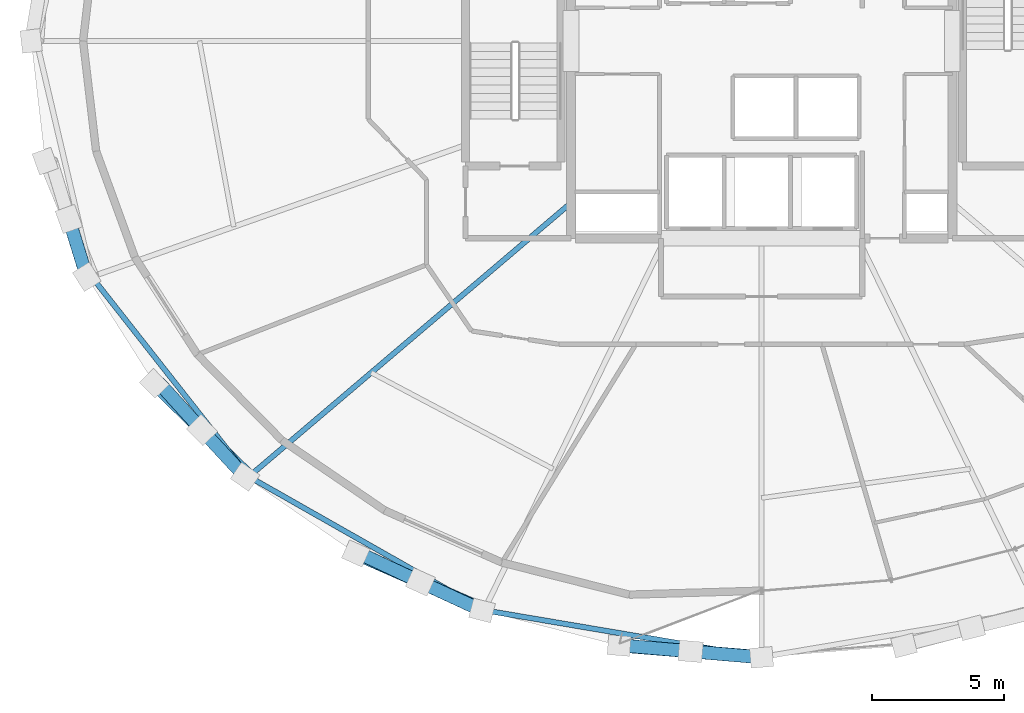
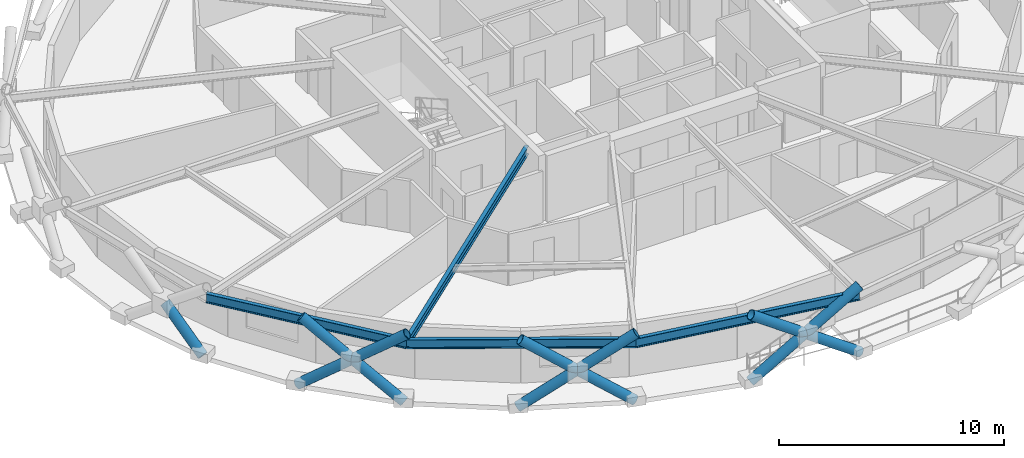
# One storey, part 1 of 15: 10 members, 4 beams.
"""IFC4 building model written with IfcOpenShell, lengths in metres."""

from ifc_helpers import new_model, si_unit, direction, frame, origin, origin_2d, place, context, subcontext, project, spatial, hollow_circle, i_section, extrude, material, material_profile, profile_set, type_object, element, save


model = new_model("IFC4")

# Units and contexts
model_context = context("Model", 3, precision=1e-05, world=origin(), true_north=direction((0.0, 1.0)))
body_context = subcontext(model_context, "Body", "Model", "MODEL_VIEW")
ifc_project = project(units=[si_unit("LENGTHUNIT", "METRE"), si_unit("AREAUNIT", "SQUARE_METRE"), si_unit("VOLUMEUNIT", "CUBIC_METRE"), si_unit("PLANEANGLEUNIT", "RADIAN"), si_unit("MASSUNIT", "GRAM", prefix="KILO")], contexts=[model_context])

# Site, building, storey
site_placement = place(None, origin())
site = spatial("IfcSite", under=ifc_project, at=site_placement, CompositionType="ELEMENT")
building_placement = place(site_placement, origin())
building = spatial("IfcBuilding", under=site, at=building_placement, Name="Veldorina Hangang Commons", CompositionType="ELEMENT")
storey_placement = place(building_placement, frame((0.0, 0.0, 182.0)))
storey = spatial("IfcBuildingStorey", under=building, at=storey_placement, Name="L47", CompositionType="ELEMENT", Elevation=182.0)

# Beams
ifc_material_1 = material(Name="Steel SM355-TMC", Category="steel")
ifc_material_profile_1 = material_profile(ifc_material_1, i_section(OverallWidth=0.199951171875, OverallDepth=0.449951171875, WebThickness=0.009033203125, FlangeThickness=0.013916015625, FilletRadius=0.01611328125, at=origin_2d()), Name="H-450x200x9x14")
ifc_profile_set_1 = profile_set([ifc_material_profile_1], Name="Steel SM355-TMC")
beam_type_1 = type_object("IfcBeamType", Name="BM-FG450", PredefinedType="BEAM", material=ifc_profile_set_1)
beam_1_placement = place(storey_placement, frame((24.800048828125, 17.881103515625, 3.125), z_axis=(-0.762001987409, -0.647574683866, 0.0), x_axis=(0.647574683866, -0.762001987409, 0.0)))
element("IfcBeam", 1, at=beam_1_placement, inside=storey, type_object=beam_type_1, Name="L47 radial floor girder 11", PredefinedType="BEAM", context=body_context, shape_type="SweptSolid", body=[
    extrude(i_section(OverallWidth=0.199951171875, OverallDepth=0.449951171875, WebThickness=0.009033203125, FlangeThickness=0.013916015625, FilletRadius=0.01611328125, at=origin_2d()), origin(), (0.0, 0.0, 1.0), 15.955078125),
])
ifc_material_2 = material(Name="Steel SM420-TMC", Category="steel")
ifc_material_profile_2 = material_profile(ifc_material_2, i_section(OverallWidth=0.199951171875, OverallDepth=0.5, WebThickness=0.010009765625, FlangeThickness=0.01611328125, FilletRadius=0.01611328125, at=origin_2d()), Name="H-500x200x10x16")
ifc_profile_set_2 = profile_set([ifc_material_profile_2], Name="Steel SM420-TMC")
beam_type_2 = type_object("IfcBeamType", Name="BM-RB500", PredefinedType="BEAM", material=ifc_profile_set_2)
beam_2_placement = place(storey_placement, frame((6.7080078125, 15.0966796875, 3.10009765625), z_axis=(0.618083179485, -0.786112703903, 0.0), x_axis=(0.786112703903, 0.618083179485, 0.0)))
element("IfcBeam", 2, at=beam_2_placement, inside=storey, type_object=beam_type_2, Name="L47 perimeter hoop ring beam 18", PredefinedType="BEAM", context=body_context, shape_type="SweptSolid", body=[
    extrude(i_section(OverallWidth=0.199951171875, OverallDepth=0.5, WebThickness=0.010009765625, FlangeThickness=0.01611328125, FilletRadius=0.01611328125, at=origin_2d()), origin(), (0.0, 0.0, 1.0), 9.60107421875),
])
beam_3_placement = place(storey_placement, frame((12.642333984375, 7.549072265625, 3.10009765625), z_axis=(0.869572738888, -0.493804872174, 0.0), x_axis=(0.493804872174, 0.869572738888, 0.0)))
element("IfcBeam", 3, at=beam_3_placement, inside=storey, type_object=beam_type_2, Name="L47 perimeter hoop ring beam 20", PredefinedType="BEAM", context=body_context, shape_type="SweptSolid", body=[
    extrude(i_section(OverallWidth=0.199951171875, OverallDepth=0.5, WebThickness=0.010009765625, FlangeThickness=0.01611328125, FilletRadius=0.01611328125, at=origin_2d()), origin(), (0.0, 0.0, 1.0), 10.21337890625),
])
beam_4_placement = place(storey_placement, frame((21.523681640625, 2.505615234375, 3.10009765625), z_axis=(0.986010588998, -0.166682687716, 0.0), x_axis=(0.166682687716, 0.986010588998, 0.0)))
element("IfcBeam", 4, at=beam_4_placement, inside=storey, type_object=beam_type_2, Name="L47 perimeter hoop ring beam 22", PredefinedType="BEAM", context=body_context, shape_type="SweptSolid", body=[
    extrude(i_section(OverallWidth=0.199951171875, OverallDepth=0.5, WebThickness=0.010009765625, FlangeThickness=0.01611328125, FilletRadius=0.01611328125, at=origin_2d()), origin(), (0.0, 0.0, 1.0), 10.625),
])

# Members
ifc_material_profile_3 = material_profile(ifc_material_2, hollow_circle(Radius=0.25, WallThickness=0.02490234375, at=origin_2d()), Name="CHS-500x25")
ifc_profile_set_3 = profile_set([ifc_material_profile_3], Name="Steel SM420-TMC")
member_type = type_object("IfcMemberType", Name="DG-CHS500", PredefinedType="BRACE", material=ifc_profile_set_3)
member_1_placement = place(storey_placement, frame((6.52294921875, 15.0927734375, 0.0), z_axis=(-0.232433768902, 0.750313988752, 0.618872734378), x_axis=(-0.955216200794, -0.295908786182, 0.0)))
element("IfcMember", 5, at=member_1_placement, inside=storey, type_object=member_type, Name="L47 split perimeter diagrid lower brace 18", PredefinedType="BRACE", context=body_context, shape_type="SweptSolid", body=[
    extrude(hollow_circle(Radius=0.25, WallThickness=0.02490234375, at=origin_2d()), origin(), (0.0, 0.0, 1.0), 2.91064453125),
])
member_2_placement = place(storey_placement, frame((9.0712890625, 11.068603515625, 0.0), z_axis=(0.581068791452, -0.568832440297, 0.582055593965), x_axis=(0.699542697446, 0.714590802103, 0.0)))
element("IfcMember", 6, at=member_2_placement, inside=storey, type_object=member_type, Name="L47 continuous perimeter diagrid brace 19", PredefinedType="BRACE", context=body_context, shape_type="SweptSolid", body=[
    extrude(hollow_circle(Radius=0.25, WallThickness=0.02490234375, at=origin_2d()), origin(), (0.0, 0.0, 1.0), 6.18505859375),
])
member_3_placement = place(storey_placement, frame((12.500732421875, 7.54150390625, 0.0), z_axis=(-0.542256177693, 0.58745774213, 0.600709279906), x_axis=(-0.734811241888, -0.678271655604, 0.0)))
element("IfcMember", 7, at=member_3_placement, inside=storey, type_object=member_type, Name="L47 split perimeter diagrid lower brace 20", PredefinedType="BRACE", context=body_context, shape_type="SweptSolid", body=[
    extrude(hollow_circle(Radius=0.25, WallThickness=0.02490234375, at=origin_2d()), origin(), (0.0, 0.0, 1.0), 3.0029296875),
])
member_4_placement = place(storey_placement, frame((10.872314453125, 9.3056640625, 1.803955078125), z_axis=(-0.537541024068, 0.591833973795, 0.600651475405), x_axis=(-0.740244961667, -0.672337264121, 0.0)))
element("IfcMember", 8, at=member_4_placement, inside=storey, type_object=member_type, Name="L47 split perimeter diagrid upper brace 20", PredefinedType="BRACE", context=body_context, shape_type="SweptSolid", body=[
    extrude(hollow_circle(Radius=0.25, WallThickness=0.02490234375, at=origin_2d()), origin(), (0.0, 0.0, 1.0), 2.990234375),
])
member_5_placement = place(storey_placement, frame((16.679443359375, 4.64697265625, 0.0), z_axis=(0.757312914198, -0.333677559591, 0.561370141897), x_axis=(0.40320412808, 0.915110065019, 0.0)))
element("IfcMember", 9, at=member_5_placement, inside=storey, type_object=member_type, Name="L47 continuous perimeter diagrid brace 21", PredefinedType="BRACE", context=body_context, shape_type="SweptSolid", body=[
    extrude(hollow_circle(Radius=0.25, WallThickness=0.02490234375, at=origin_2d()), origin(), (0.0, 0.0, 1.0), 6.4130859375),
])
member_6_placement = place(storey_placement, frame((21.447021484375, 2.49609375, 0.0), z_axis=(-0.742397196708, 0.343123447714, 0.575423932374), x_axis=(-0.419540530085, -0.907736604757, 0.0)))
element("IfcMember", 10, at=member_6_placement, inside=storey, type_object=member_type, Name="L47 split perimeter diagrid lower brace 22", PredefinedType="BRACE", context=body_context, shape_type="SweptSolid", body=[
    extrude(hollow_circle(Radius=0.25, WallThickness=0.02490234375, at=origin_2d()), origin(), (0.0, 0.0, 1.0), 3.13916015625),
])
member_7_placement = place(storey_placement, frame((19.116455078125, 3.5732421875, 1.806396484375), z_axis=(-0.740284565043, 0.347664323342, 0.57542009092), x_axis=(-0.425091300121, -0.905150477303, 0.0)))
element("IfcMember", 11, at=member_7_placement, inside=storey, type_object=member_type, Name="L47 split perimeter diagrid upper brace 22", PredefinedType="BRACE", context=body_context, shape_type="SweptSolid", body=[
    extrude(hollow_circle(Radius=0.25, WallThickness=0.02490234375, at=origin_2d()), origin(), (0.0, 0.0, 1.0), 3.1171875),
])
member_8_placement = place(storey_placement, frame((26.6201171875, 1.17138671875, 0.0), z_axis=(0.829215222868, -0.0670567039, 0.554892343275), x_axis=(0.080604540643, 0.996746160277, 0.0)))
element("IfcMember", 12, at=member_8_placement, inside=storey, type_object=member_type, Name="L47 continuous perimeter diagrid brace 23", PredefinedType="BRACE", context=body_context, shape_type="SweptSolid", body=[
    extrude(hollow_circle(Radius=0.25, WallThickness=0.02490234375, at=origin_2d()), origin(), (0.0, 0.0, 1.0), 6.488037109375),
])
member_9_placement = place(storey_placement, frame((32.0, 0.72412109375, 0.0), z_axis=(-0.826853094223, 0.070612591076, 0.557967581993), x_axis=(-0.08508948185, -0.996373313612, 0.0)))
element("IfcMember", 13, at=member_9_placement, inside=storey, type_object=member_type, Name="L47 split perimeter diagrid lower brace 24", PredefinedType="BRACE", context=body_context, shape_type="SweptSolid", body=[
    extrude(hollow_circle(Radius=0.25, WallThickness=0.02490234375, at=origin_2d()), origin(), (0.0, 0.0, 1.0), 3.23974609375),
])
member_10_placement = place(storey_placement, frame((29.3212890625, 0.952880859375, 1.8076171875), z_axis=(-0.826735664047, 0.071744665091, 0.557997172774), x_axis=(-0.086455724862, -0.996255693905, 0.0)))
element("IfcMember", 14, at=member_10_placement, inside=storey, type_object=member_type, Name="L47 split perimeter diagrid upper brace 24", PredefinedType="BRACE", context=body_context, shape_type="SweptSolid", body=[
    extrude(hollow_circle(Radius=0.25, WallThickness=0.02490234375, at=origin_2d()), origin(), (0.0, 0.0, 1.0), 3.21240234375),
])

save(model, "model.ifc")
